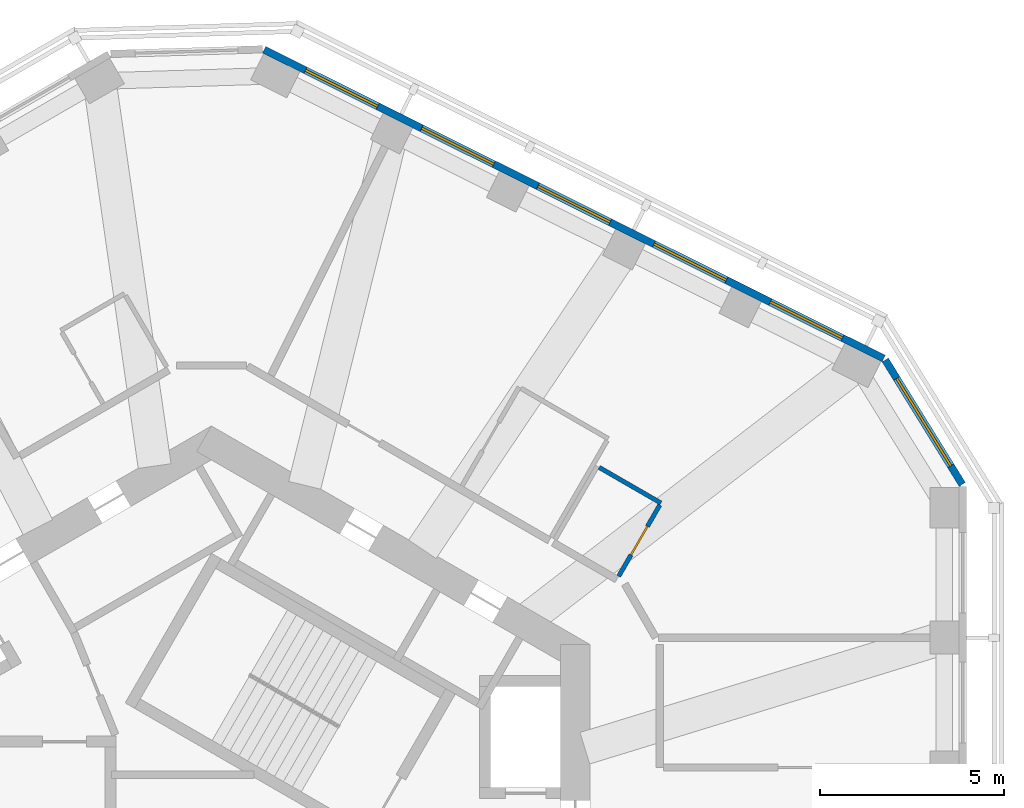
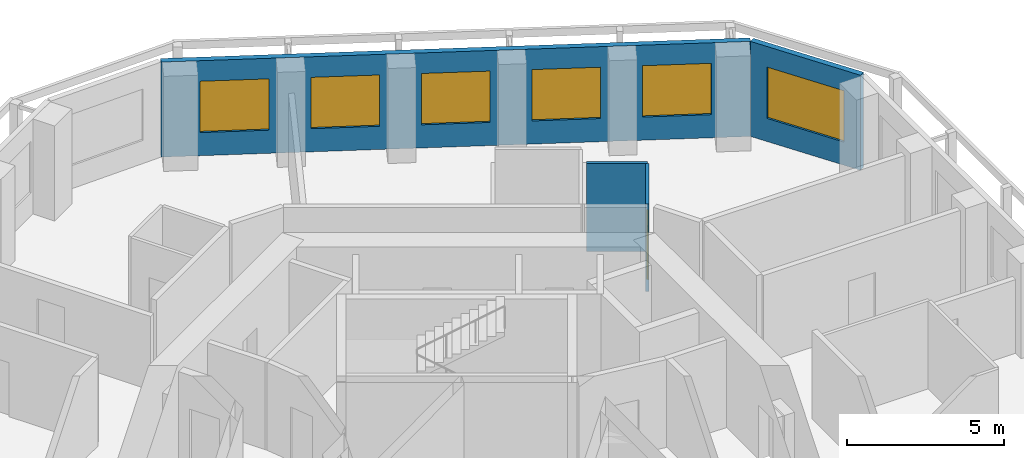
# One storey, part 8 of 11: 6 windows, 4 walls, 1 door, 7 openings.
"""IFC4 building model written with IfcOpenShell, lengths in metres."""

from ifc_helpers import new_model, si_unit, direction, frame, frame_2d, origin, place, context, subcontext, project, spatial, rectangle, extrude, material, layer, layer_set, type_object, element, fill, save


model = new_model("IFC4")

# Units and contexts
model_context = context("Model", 3, precision=1e-05, world=origin(), true_north=direction((0.0, 1.0)))
body_context = subcontext(model_context, "Body", "Model", "MODEL_VIEW")
ifc_project = project(units=[si_unit("LENGTHUNIT", "METRE"), si_unit("AREAUNIT", "SQUARE_METRE"), si_unit("VOLUMEUNIT", "CUBIC_METRE"), si_unit("PLANEANGLEUNIT", "RADIAN"), si_unit("MASSUNIT", "GRAM", prefix="KILO")], contexts=[model_context])

# Site, building, storey
site_placement = place(None, origin())
site = spatial("IfcSite", under=ifc_project, at=site_placement, CompositionType="ELEMENT")
building_placement = place(site_placement, origin())
building = spatial("IfcBuilding", under=site, at=building_placement, Name="Vanh Sen Convention Tower", CompositionType="ELEMENT")
storey_placement = place(building_placement, frame((0.0, 0.0, 240.199951171875)))
storey = spatial("IfcBuildingStorey", under=building, at=storey_placement, Name="L59", CompositionType="ELEMENT", Elevation=240.199951171875)

# Wall
ifc_material_1 = material(Name="Moisture-resistant gypsum board on steel studs", Category="steel")
ifc_layer_1 = layer(ifc_material_1, 0.1201171875)
ifc_layer_set_1 = layer_set([ifc_layer_1], Name="Moisture-resistant gypsum board on steel studs")
wall_type_1 = type_object("IfcWallType", Name="Bathroom partition 120", PredefinedType="PARTITIONING", material=ifc_layer_set_1)
wall_1_placement = place(storey_placement, frame((10.553466796875, 10.765625, 0.0), z_axis=(0.0, 0.0, 1.0), x_axis=(0.866011626733, -0.500023861795, 0.0)))
element("IfcWall", 1, at=wall_1_placement, inside=storey, type_object=wall_type_1, Name="Bathroom partition 120", PredefinedType="PARTITIONING", context=body_context, shape_type="SweptSolid", body=[
    extrude(rectangle(XDim=1.93994140625, YDim=0.1201171875, at=frame_2d((0.969970703125, 0.0))), origin(), (0.0, 0.0, 1.0), 3.420166015625),
])

# Wall, opening, door
wall_2_placement = place(storey_placement, frame((12.20361328125, 9.74365234375, 0.0), z_axis=(0.0, 0.0, 1.0), x_axis=(-0.500030632641, -0.866007717299, 0.0)))
wall_2 = element("IfcWall", 2, at=wall_2_placement, inside=storey, type_object=wall_type_1, Name="Bathroom partition 120", PredefinedType="PARTITIONING", context=body_context, shape_type="SweptSolid", body=[
    extrude(rectangle(XDim=2.239990234375, YDim=0.1201171875, at=frame_2d((1.1201171875, 0.0))), origin(), (0.0, 0.0, 1.0), 3.420166015625),
])
opening_1_placement = place(wall_2_placement, frame((0.669921875, 0.0, 0.0)))
opening_1 = element("IfcOpeningElement", 3, at=opening_1_placement, cuts=wall_2, Name="Opening D59103", PredefinedType="OPENING", context=body_context, shape_type="SweptSolid", body=[
    extrude(rectangle(XDim=0.89990234375, YDim=2.10009765625, at=frame_2d((0.449951171875, 1.050048828125))), frame((0.0, 0.070068359375, 0.0), z_axis=(0.0, -1.0, 0.0), x_axis=(1.0, 0.0, 0.0)), (0.0, 0.0, 1.0), 0.14013671875),
])
ifc_material_2 = material(Name="Laminate door in steel frame", Category="steel")
door_type = type_object("IfcDoorType", Name="Room internal door 900", OperationType="SINGLE_SWING_LEFT", PredefinedType="DOOR", material=ifc_material_2)
door_placement = place(opening_1_placement, origin())
door = element("IfcDoor", 4, at=door_placement, inside=storey, type_object=door_type, Name="Internal room door D59103", OperationType="SINGLE_SWING_LEFT", OverallHeight=2.10009765625, OverallWidth=0.89990234375, PredefinedType="DOOR", context=body_context, shape_type="SweptSolid", body=[
    extrude(rectangle(XDim=0.89990234375, YDim=2.10009765625, at=frame_2d((0.449951171875, 1.050048828125))), frame((0.0, 0.02490234375, 0.0), z_axis=(0.0, -1.0, 0.0), x_axis=(1.0, 0.0, 0.0)), (0.0, 0.0, 1.0), 0.050048828125),
])
fill(opening_1, door)

# Wall, opening, window
ifc_material_3 = material(Name="Insulated lightweight infill wall")
ifc_layer_2 = layer(ifc_material_3, 0.199951171875)
ifc_layer_set_2 = layer_set([ifc_layer_2], Name="Insulated lightweight infill wall")
wall_type_2 = type_object("IfcWallType", Name="External wall 200", PredefinedType="STANDARD", material=ifc_layer_set_2)
wall_3_placement = place(storey_placement, frame((20.43505859375, 10.3037109375, 0.0), z_axis=(0.0, 0.0, 1.0), x_axis=(-0.526202661606, 0.850359194058, 0.0)))
wall_3 = element("IfcWall", 5, at=wall_3_placement, inside=storey, type_object=wall_type_2, Name="External wall CH1 L59", PredefinedType="STANDARD", context=body_context, shape_type="SweptSolid", body=[
    extrude(rectangle(XDim=3.982666015625, YDim=0.199951171875, at=frame_2d((1.9912109375, 0.0))), origin(), (0.0, 0.0, 1.0), 3.699951171875),
])
opening_2_placement = place(wall_3_placement, frame((0.59130859375, 0.0, 0.89990234375)))
opening_2 = element("IfcOpeningElement", 6, at=opening_2_placement, cuts=wall_3, Name="Opening WO4-CH11", PredefinedType="OPENING", context=body_context, shape_type="SweptSolid", body=[
    extrude(rectangle(XDim=2.800048828125, YDim=2.0, at=frame_2d((1.39990234375, 1.0))), frame((0.0, 0.10986328125, 0.0), z_axis=(0.0, -1.0, 0.0), x_axis=(1.0, 0.0, 0.0)), (0.0, 0.0, 1.0), 0.219970703125),
])
ifc_material_4 = material(Name="Aluminium frame with clear low-emissivity glass", Category="aluminium")
window_type_1 = type_object("IfcWindowType", Name="Office window 2800 x 2000", PartitioningType="SINGLE_PANEL", PredefinedType="WINDOW", material=ifc_material_4)
window_1_placement = place(opening_2_placement, origin())
window_1 = element("IfcWindow", 7, at=window_1_placement, inside=storey, type_object=window_type_1, Name="Window WO4-CH11", OverallHeight=2.0, OverallWidth=2.800048828125, PartitioningType="SINGLE_PANEL", PredefinedType="WINDOW", context=body_context, shape_type="SweptSolid", body=[
    extrude(rectangle(XDim=2.800048828125, YDim=2.0, at=frame_2d((1.39990234375, 1.0))), frame((0.0, 0.030029296875, 0.0), z_axis=(0.0, -1.0, 0.0), x_axis=(1.0, 0.0, 0.0)), (0.0, 0.0, 1.0), 0.06005859375),
])
fill(opening_2, window_1)

# Wall, openings, windows
wall_4_placement = place(storey_placement, frame((18.298828125, 13.727294921875, 0.0), z_axis=(0.0, 0.0, 1.0), x_axis=(-0.894934554817, 0.44619742558, 0.0)))
wall_4 = element("IfcWall", 8, at=wall_4_placement, inside=storey, type_object=wall_type_2, Name="External wall NE L59", PredefinedType="STANDARD", context=body_context, shape_type="SweptSolid", body=[
    extrude(rectangle(XDim=18.84130859375, YDim=0.199951171875, at=frame_2d((9.420654296875, 0.0))), origin(), (0.0, 0.0, 1.0), 3.699951171875),
])
opening_3_placement = place(wall_4_placement, frame((1.252685546875, 0.0, 0.89990234375)))
opening_3 = element("IfcOpeningElement", 9, at=opening_3_placement, cuts=wall_4, Name="Opening WO3-NE1", PredefinedType="OPENING", context=body_context, shape_type="SweptSolid", body=[
    extrude(rectangle(XDim=2.199951171875, YDim=2.0, at=frame_2d((1.10009765625, 1.0))), frame((0.0, 0.10986328125, 0.0), z_axis=(0.0, -1.0, 0.0), x_axis=(1.0, 0.0, 0.0)), (0.0, 0.0, 1.0), 0.219970703125),
])
opening_4_placement = place(wall_4_placement, frame((4.7861328125, 0.0, 0.89990234375)))
opening_4 = element("IfcOpeningElement", 10, at=opening_4_placement, cuts=wall_4, Name="Opening WO3-NE2", PredefinedType="OPENING", context=body_context, shape_type="SweptSolid", body=[
    extrude(rectangle(XDim=2.199951171875, YDim=2.0, at=frame_2d((1.10009765625, 1.0))), frame((0.0, 0.10986328125, 0.0), z_axis=(0.0, -1.0, 0.0), x_axis=(1.0, 0.0, 0.0)), (0.0, 0.0, 1.0), 0.219970703125),
])
opening_5_placement = place(wall_4_placement, frame((8.31982421875, 0.0, 0.89990234375)))
opening_5 = element("IfcOpeningElement", 11, at=opening_5_placement, cuts=wall_4, Name="Opening WO3-NE3", PredefinedType="OPENING", context=body_context, shape_type="SweptSolid", body=[
    extrude(rectangle(XDim=2.199951171875, YDim=2.0, at=frame_2d((1.10009765625, 1.0))), frame((0.0, 0.10986328125, 0.0), z_axis=(0.0, -1.0, 0.0), x_axis=(1.0, 0.0, 0.0)), (0.0, 0.0, 1.0), 0.219970703125),
])
opening_6_placement = place(wall_4_placement, frame((11.853515625, 0.0, 0.89990234375)))
opening_6 = element("IfcOpeningElement", 12, at=opening_6_placement, cuts=wall_4, Name="Opening WO3-NE4", PredefinedType="OPENING", context=body_context, shape_type="SweptSolid", body=[
    extrude(rectangle(XDim=2.199951171875, YDim=2.0, at=frame_2d((1.10009765625, 1.0))), frame((0.0, 0.10986328125, 0.0), z_axis=(0.0, -1.0, 0.0), x_axis=(1.0, 0.0, 0.0)), (0.0, 0.0, 1.0), 0.219970703125),
])
opening_7_placement = place(wall_4_placement, frame((15.38720703125, 0.0, 0.89990234375)))
opening_7 = element("IfcOpeningElement", 13, at=opening_7_placement, cuts=wall_4, Name="Opening WO3-NE5", PredefinedType="OPENING", context=body_context, shape_type="SweptSolid", body=[
    extrude(rectangle(XDim=2.199951171875, YDim=2.0, at=frame_2d((1.10009765625, 1.0))), frame((0.0, 0.10986328125, 0.0), z_axis=(0.0, -1.0, 0.0), x_axis=(1.0, 0.0, 0.0)), (0.0, 0.0, 1.0), 0.219970703125),
])
window_type_2 = type_object("IfcWindowType", Name="Office window 2200 x 2000", PartitioningType="SINGLE_PANEL", PredefinedType="WINDOW", material=ifc_material_4)
window_2_placement = place(opening_3_placement, origin())
window_2 = element("IfcWindow", 14, at=window_2_placement, inside=storey, type_object=window_type_2, Name="Window WO3-NE1", OverallHeight=2.0, OverallWidth=2.199951171875, PartitioningType="SINGLE_PANEL", PredefinedType="WINDOW", context=body_context, shape_type="SweptSolid", body=[
    extrude(rectangle(XDim=2.199951171875, YDim=2.0, at=frame_2d((1.10009765625, 1.0))), frame((0.0, 0.030029296875, 0.0), z_axis=(0.0, -1.0, 0.0), x_axis=(1.0, 0.0, 0.0)), (0.0, 0.0, 1.0), 0.06005859375),
])
fill(opening_3, window_2)
window_3_placement = place(opening_4_placement, origin())
window_3 = element("IfcWindow", 15, at=window_3_placement, inside=storey, type_object=window_type_2, Name="Window WO3-NE2", OverallHeight=2.0, OverallWidth=2.199951171875, PartitioningType="SINGLE_PANEL", PredefinedType="WINDOW", context=body_context, shape_type="SweptSolid", body=[
    extrude(rectangle(XDim=2.199951171875, YDim=2.0, at=frame_2d((1.10009765625, 1.0))), frame((0.0, 0.030029296875, 0.0), z_axis=(0.0, -1.0, 0.0), x_axis=(1.0, 0.0, 0.0)), (0.0, 0.0, 1.0), 0.06005859375),
])
fill(opening_4, window_3)
window_4_placement = place(opening_5_placement, origin())
window_4 = element("IfcWindow", 16, at=window_4_placement, inside=storey, type_object=window_type_2, Name="Window WO3-NE3", OverallHeight=2.0, OverallWidth=2.199951171875, PartitioningType="SINGLE_PANEL", PredefinedType="WINDOW", context=body_context, shape_type="SweptSolid", body=[
    extrude(rectangle(XDim=2.199951171875, YDim=2.0, at=frame_2d((1.10009765625, 1.0))), frame((0.0, 0.030029296875, 0.0), z_axis=(0.0, -1.0, 0.0), x_axis=(1.0, 0.0, 0.0)), (0.0, 0.0, 1.0), 0.06005859375),
])
fill(opening_5, window_4)
window_5_placement = place(opening_6_placement, origin())
window_5 = element("IfcWindow", 17, at=window_5_placement, inside=storey, type_object=window_type_2, Name="Window WO3-NE4", OverallHeight=2.0, OverallWidth=2.199951171875, PartitioningType="SINGLE_PANEL", PredefinedType="WINDOW", context=body_context, shape_type="SweptSolid", body=[
    extrude(rectangle(XDim=2.199951171875, YDim=2.0, at=frame_2d((1.10009765625, 1.0))), frame((0.0, 0.030029296875, 0.0), z_axis=(0.0, -1.0, 0.0), x_axis=(1.0, 0.0, 0.0)), (0.0, 0.0, 1.0), 0.06005859375),
])
fill(opening_6, window_5)
window_6_placement = place(opening_7_placement, origin())
window_6 = element("IfcWindow", 18, at=window_6_placement, inside=storey, type_object=window_type_2, Name="Window WO3-NE5", OverallHeight=2.0, OverallWidth=2.199951171875, PartitioningType="SINGLE_PANEL", PredefinedType="WINDOW", context=body_context, shape_type="SweptSolid", body=[
    extrude(rectangle(XDim=2.199951171875, YDim=2.0, at=frame_2d((1.10009765625, 1.0))), frame((0.0, 0.030029296875, 0.0), z_axis=(0.0, -1.0, 0.0), x_axis=(1.0, 0.0, 0.0)), (0.0, 0.0, 1.0), 0.06005859375),
])
fill(opening_7, window_6)

save(model, "model.ifc")
